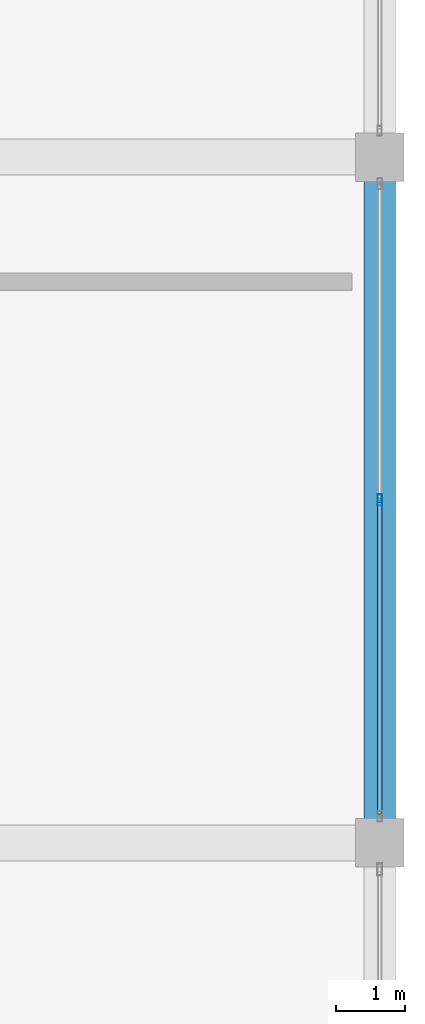
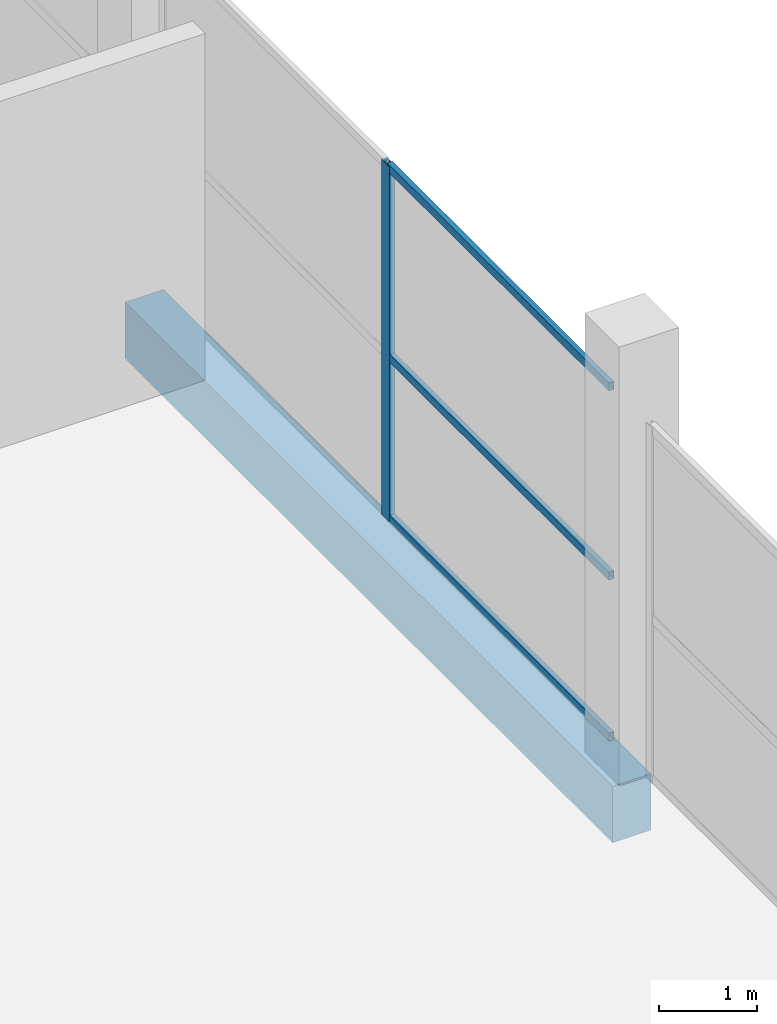
# One storey, part 36 of 74: 4 members, 1 beam, 1 element without a shape of its own.
"""IFC4 building model written with IfcOpenShell, lengths in metres."""

import ifcopenshell
import ifcopenshell.guid

model = None  # the IFC model being written
_history = None  # IfcOwnerHistory: only IFC2X3 demands one
_inside = {}  # id of a spatial element -> (the spatial element, [elements in it])
_under = {}  # id of a project, library or spatial element -> (it, [spatial elements below it])
_declared = {}  # id of a project -> (the project, [libraries it declares])
_typed = {}  # id of a type object -> (the type object, [elements of that type])
_made_of = {}  # id of a material, layer set ... -> (it, [elements and type objects made of it])


def new_model(schema):
    """Start an empty IFC model of exactly this schema.

    Asked for "IFC4X3", IfcOpenShell would pick the latest addendum, in which some entities
    have other attributes; the version numbers below select the first issue.
    IFC2X3 requires an IfcOwnerHistory on every rooted entity: one is made here for all.
    """
    global model, _history
    if schema == "IFC4X3":
        model = ifcopenshell.file(schema_version=(4, 3, 0, 0))
    else:
        model = ifcopenshell.file(schema=schema)
    _inside.clear()
    _under.clear()
    _declared.clear()
    _typed.clear()
    _made_of.clear()
    _history = None
    if model.schema == "IFC2X3":
        org = make("IfcOrganization", Name="unknown")
        user = make(
            "IfcPersonAndOrganization",
            ThePerson=make("IfcPerson", FamilyName="unknown"),
            TheOrganization=org,
        )
        app = make(
            "IfcApplication",
            ApplicationDeveloper=org,
            Version="unknown",
            ApplicationFullName="unknown",
            ApplicationIdentifier="unknown",
        )
        _history = make(
            "IfcOwnerHistory",
            OwningUser=user,
            OwningApplication=app,
            ChangeAction="ADDED",
            CreationDate=0,
        )
    return model


def make(cls, **values):
    """One entity of the class cls with the attributes given. An attribute that is None is left unset."""
    return model.create_entity(
        cls, **{name: value for name, value in values.items() if value is not None}
    )


def rooted(cls, **values):
    """An entity with a GlobalId (a new one), such as an element, a storey or a relation."""
    return make(cls, GlobalId=ifcopenshell.guid.new(), OwnerHistory=_history, **values)


def si_unit(unit_type, name, prefix=None):
    """IfcSIUnit, for example si_unit("LENGTHUNIT", "METRE", prefix="MILLI")."""
    return make("IfcSIUnit", UnitType=unit_type, Prefix=prefix, Name=name)


def assignment(units):
    """IfcUnitAssignment: the units of a project."""
    return None if units is None else make("IfcUnitAssignment", Units=units)


def point(xyz):
    """IfcCartesianPoint."""
    return None if xyz is None else make("IfcCartesianPoint", Coordinates=xyz)


def direction(xyz):
    """IfcDirection."""
    return None if xyz is None else make("IfcDirection", DirectionRatios=xyz)


def frame(location, z_axis=None, x_axis=None):
    """IfcAxis2Placement3D, a coordinate frame: its origin and axes. An axis left out is left unset."""
    return make(
        "IfcAxis2Placement3D",
        Location=point(location),
        Axis=direction(z_axis),
        RefDirection=direction(x_axis),
    )


def frame_2d(location, x_axis=None):
    """IfcAxis2Placement2D, a coordinate frame in the plane: its origin and x axis."""
    return make(
        "IfcAxis2Placement2D", Location=point(location), RefDirection=direction(x_axis)
    )


def origin():
    """The frame at (0, 0, 0) with its axes left unset."""
    return frame((0.0, 0.0, 0.0))


def origin_2d():
    """The frame at (0, 0) in the plane with its x axis left unset."""
    return frame_2d((0.0, 0.0))


def place(relative_to, where):
    """IfcLocalPlacement: puts the frame where relative to a parent placement (None: the world)."""
    return make(
        "IfcLocalPlacement", PlacementRelTo=relative_to, RelativePlacement=where
    )


def context(
    kind, dimensions, precision=None, world=None, true_north=None, identifier=None
):
    """IfcGeometricRepresentationContext, for example the 3D "Model" context."""
    return make(
        "IfcGeometricRepresentationContext",
        ContextIdentifier=identifier,
        ContextType=kind,
        CoordinateSpaceDimension=dimensions,
        Precision=precision,
        WorldCoordinateSystem=world,
        TrueNorth=true_north,
    )


def subcontext(parent, identifier, kind, view, scale=None):
    """IfcGeometricRepresentationSubContext, for example "Body" below "Model"."""
    return make(
        "IfcGeometricRepresentationSubContext",
        ContextIdentifier=identifier,
        ContextType=kind,
        ParentContext=parent,
        TargetScale=scale,
        TargetView=view,
    )


def project(units=None, contexts=None):
    """IfcProject with its units and contexts."""
    return rooted(
        "IfcProject",
        Name="project",
        RepresentationContexts=contexts,
        UnitsInContext=assignment(units),
    )


def spatial(cls, under=None, at=None, **own):
    """A site, building, storey or space (cls), placed at a placement, below another one or the project."""
    s = rooted(cls, ObjectPlacement=at, **own)
    if under is not None:
        _under.setdefault(under.id(), (under, []))[1].append(s)
    return s


def profile(cls, at=None, kind="AREA", **sizes):
    """A parametric profile (cls). Its sizes go by their IFC names, for example OverallWidth=200.0."""
    return make(cls, ProfileType=kind, Position=at, **sizes)


def rectangle(**sizes):
    """IfcRectangleProfileDef."""
    return profile("IfcRectangleProfileDef", **sizes)


def hollow_rectangle(**sizes):
    """IfcRectangleHollowProfileDef."""
    return profile("IfcRectangleHollowProfileDef", **sizes)


def extrude(swept, where, along, depth):
    """IfcExtrudedAreaSolid: the profile swept, set in the frame where, extruded along a direction by depth."""
    return make(
        "IfcExtrudedAreaSolid",
        SweptArea=swept,
        Position=where,
        ExtrudedDirection=direction(along),
        Depth=depth,
    )


def shape(context_of_items, identifier, shape_type, items):
    """IfcShapeRepresentation: the items that make up one representation, for example the "Body"."""
    return make(
        "IfcShapeRepresentation",
        ContextOfItems=context_of_items,
        RepresentationIdentifier=identifier,
        RepresentationType=shape_type,
        Items=items,
    )


def material(Name=None, Category=None):
    """IfcMaterial."""
    return make("IfcMaterial", Name=Name, Category=Category)


def layer(
    of_material, thickness, ventilated=None, Name=None, Category=None, Priority=None
):
    """IfcMaterialLayer: one layer of a wall or slab, of a material (None: an air gap)."""
    return make(
        "IfcMaterialLayer",
        Material=of_material,
        LayerThickness=thickness,
        IsVentilated=ventilated,
        Name=Name,
        Category=Category,
        Priority=Priority,
    )


def layer_set(layers, Name=None):
    """IfcMaterialLayerSet."""
    return make("IfcMaterialLayerSet", MaterialLayers=layers, LayerSetName=Name)


def material_profile(
    of_material, cross_section, Name=None, Category=None, Priority=None
):
    """IfcMaterialProfile: a cross section and its material."""
    return make(
        "IfcMaterialProfile",
        Name=Name,
        Material=of_material,
        Profile=cross_section,
        Priority=Priority,
        Category=Category,
    )


def profile_set(profiles, Name=None, composite=None):
    """IfcMaterialProfileSet."""
    return make(
        "IfcMaterialProfileSet",
        Name=Name,
        MaterialProfiles=profiles,
        CompositeProfile=composite,
    )


def made_of(thing, what):
    """Note that an element or type object is made of a material, layer set ...; save() writes the relation."""
    if what is not None:
        _made_of.setdefault(what.id(), (what, []))[1].append(thing)
    return thing


def type_object(cls, material=None, **own):
    """A type object (cls), such as IfcWallType, which elements share."""
    return made_of(rooted(cls, **own), material)


def element(
    cls,
    number,
    at=None,
    inside=None,
    cuts=None,
    type_object=None,
    material=None,
    context=None,
    identifier="Body",
    shape_type=None,
    held_by="IfcProductDefinitionShape",
    body=None,
    shapes=None,
    **own,
):
    """One element of the class cls, such as IfcWall. Its Tag is "e" and its number.

    at: its placement. inside: the storey or other place that contains it. cuts: it is an
    opening in that element (IfcRelVoidsElement). A single representation is given by context,
    identifier, shape_type and body (its items); several are given by shapes. held_by: the class
    of the entity that holds the representations. save() writes the other relations.
    """
    e = rooted(cls, Tag="e%d" % number, ObjectPlacement=at, **own)
    if body is not None:
        shapes = [shape(context, identifier, shape_type, body)]
    if shapes is not None:
        e.Representation = make(held_by, Representations=shapes)
    if inside is not None:
        _inside.setdefault(inside.id(), (inside, []))[1].append(e)
    if cuts is not None:
        rooted(
            "IfcRelVoidsElement", RelatingBuildingElement=cuts, RelatedOpeningElement=e
        )
    if type_object is not None:
        _typed.setdefault(type_object.id(), (type_object, []))[1].append(e)
    return made_of(e, material)


def aggregate(whole, parts):
    """IfcRelAggregates: a whole, such as a stair, and the parts it consists of."""
    return rooted("IfcRelAggregates", RelatingObject=whole, RelatedObjects=parts)


def save(model, path):
    """Write the relations noted so far, then the file.

    IfcRelAggregates (storeys below a building ...), IfcRelContainedInSpatialStructure (elements
    in a storey), IfcRelDefinesByType, IfcRelAssociatesMaterial and IfcRelDeclares: one each for
    every whole, place, type object, material and project.
    """
    for whole, parts in _under.values():
        aggregate(whole, parts)
    for where, things in _inside.values():
        rooted(
            "IfcRelContainedInSpatialStructure",
            RelatedElements=things,
            RelatingStructure=where,
        )
    for kind, things in _typed.values():
        rooted("IfcRelDefinesByType", RelatedObjects=things, RelatingType=kind)
    for what, things in _made_of.values():
        rooted("IfcRelAssociatesMaterial", RelatedObjects=things, RelatingMaterial=what)
    for by, libraries in _declared.values():
        rooted("IfcRelDeclares", RelatingContext=by, RelatedDefinitions=libraries)
    model.write(path)


model = new_model("IFC4")

# Units and contexts
model_context = context("Model", 3, precision=1e-05, world=origin(), true_north=direction((0.0, 1.0)))
body_context = subcontext(model_context, "Body", "Model", "MODEL_VIEW")
ifc_project = project(units=[si_unit("LENGTHUNIT", "METRE"), si_unit("AREAUNIT", "SQUARE_METRE"), si_unit("VOLUMEUNIT", "CUBIC_METRE"), si_unit("PLANEANGLEUNIT", "RADIAN"), si_unit("MASSUNIT", "GRAM", prefix="KILO")], contexts=[model_context])

# Site, building, storey
site_placement = place(None, origin())
site = spatial("IfcSite", under=ifc_project, at=site_placement, CompositionType="ELEMENT")
building_placement = place(site_placement, origin())
building = spatial("IfcBuilding", under=site, at=building_placement, Name="Sillaruma Civic Art Gallery", CompositionType="ELEMENT")
storey_placement = place(building_placement, frame((0.0, 0.0, 5.43994140625)))
storey = spatial("IfcBuildingStorey", under=building, at=storey_placement, Name="L01", CompositionType="ELEMENT", Elevation=5.43994140625)

# Beam
ifc_material_1 = material(Name="Concrete H35 (35 MPa)", Category="concrete")
ifc_material_profile_1 = material_profile(ifc_material_1, rectangle(XDim=0.449951171875, YDim=0.699951171875, at=origin_2d()), Name="RCB450x700")
ifc_profile_set_1 = profile_set([ifc_material_profile_1], Name="Concrete H35 (35 MPa)")
beam_type = type_object("IfcBeamType", Name="BM-SPANDREL-RCB450x700", PredefinedType="SPANDREL", material=ifc_profile_set_1)
beam_placement = place(storey_placement, frame((176.39990234375, 9.89990234375, -0.60986328125), z_axis=(0.0, 1.0, 0.0), x_axis=(-1.0, 0.0, 0.0)))
element("IfcBeam", 1, at=beam_placement, inside=storey, type_object=beam_type, Name="Beam BS-03 (L00:T:2-3)", PredefinedType="SPANDREL", context=body_context, shape_type="SweptSolid", body=[
    extrude(rectangle(XDim=0.449951171875, YDim=0.699951171875, at=origin_2d()), origin(), (0.0, 0.0, 1.0), 9.900146484375),
])

# Curtain wall, members
ifc_material_2 = material(Name="Thermally Broken Extruded Aluminium 6063-T6", Category="aluminium")
ifc_layer = layer(ifc_material_2, 0.159912109375, Name="Thermally Broken Extruded Aluminium 6063-T6")
ifc_layer_set = layer_set([ifc_layer], Name="Thermally Broken Extruded Aluminium 6063-T6")
curtain_wall_type = type_object("IfcCurtainWallType", Name="CW-UNI-10", PredefinedType="NOTDEFINED", material=ifc_layer_set)
curtain_wall_placement = place(storey_placement, origin())
curtain_wall = element("IfcCurtainWall", 2, at=curtain_wall_placement, inside=storey, type_object=curtain_wall_type, Name="Unitised Curtain Wall CW-10 (CW-L01-ESTR-2)", PredefinedType="NOTDEFINED")
ifc_material_profile_2 = material_profile(ifc_material_2, hollow_rectangle(XDim=0.06494140625, YDim=0.159912109375, WallThickness=0.00390625, at=origin_2d()), Name="CWM65x160")
ifc_profile_set_2 = profile_set([ifc_material_profile_2], Name="Thermally Broken Extruded Aluminium 6063-T6")
member_type_1 = type_object("IfcMemberType", Name="MEM-MUL-CWM65x160", PredefinedType="MULLION", material=ifc_profile_set_2)
member_1_placement = place(storey_placement, frame((176.39990234375, 14.85009765625, 0.0), z_axis=(0.0, 0.0, 1.0), x_axis=(-1.0, 0.0, 0.0)))
member_1 = element("IfcMember", 3, at=member_1_placement, type_object=member_type_1, Name="CW-10 mullion 2", PredefinedType="MULLION", context=body_context, shape_type="SweptSolid", body=[
    extrude(hollow_rectangle(XDim=0.06494140625, YDim=0.159912109375, WallThickness=0.00390625, at=origin_2d()), origin(), (0.0, 0.0, 1.0), 4.400146484375),
])
ifc_material_profile_3 = material_profile(ifc_material_2, hollow_rectangle(XDim=0.06005859375, YDim=0.10009765625, WallThickness=0.003173828125, at=origin_2d()), Name="CWT60x100")
ifc_profile_set_3 = profile_set([ifc_material_profile_3], Name="Thermally Broken Extruded Aluminium 6063-T6")
member_type_2 = type_object("IfcMemberType", Name="MEM-TRN-CWT60x100", PredefinedType="USERDEFINED", material=ifc_profile_set_3)
member_2_placement = place(storey_placement, frame((176.39990234375, 10.31494140625, 0.030029296875), z_axis=(0.0, 1.0, 0.0), x_axis=(-1.0, 0.0, 0.0)))
member_2 = element("IfcMember", 4, at=member_2_placement, type_object=member_type_2, Name="CW-10 transom 1.1", ObjectType="TRANSOM", PredefinedType="USERDEFINED", context=body_context, shape_type="SweptSolid", body=[
    extrude(hollow_rectangle(XDim=0.06005859375, YDim=0.10009765625, WallThickness=0.003173828125, at=origin_2d()), origin(), (0.0, 0.0, 1.0), 4.50244140625),
])
member_3_placement = place(storey_placement, frame((176.39990234375, 10.31494140625, 2.024169921875), z_axis=(0.0, 1.0, 0.0), x_axis=(-1.0, 0.0, 0.0)))
member_3 = element("IfcMember", 5, at=member_3_placement, type_object=member_type_2, Name="CW-10 transom 1.2", ObjectType="TRANSOM", PredefinedType="USERDEFINED", context=body_context, shape_type="SweptSolid", body=[
    extrude(hollow_rectangle(XDim=0.06005859375, YDim=0.10009765625, WallThickness=0.003173828125, at=origin_2d()), origin(), (0.0, 0.0, 1.0), 4.50244140625),
])
member_4_placement = place(storey_placement, frame((176.39990234375, 10.31494140625, 4.3701171875), z_axis=(0.0, 1.0, 0.0), x_axis=(-1.0, 0.0, 0.0)))
member_4 = element("IfcMember", 6, at=member_4_placement, type_object=member_type_2, Name="CW-10 transom 1.3", ObjectType="TRANSOM", PredefinedType="USERDEFINED", context=body_context, shape_type="SweptSolid", body=[
    extrude(hollow_rectangle(XDim=0.06005859375, YDim=0.10009765625, WallThickness=0.003173828125, at=origin_2d()), origin(), (0.0, 0.0, 1.0), 4.50244140625),
])
aggregate(curtain_wall, [member_1, member_2, member_3, member_4])

save(model, "model.ifc")
